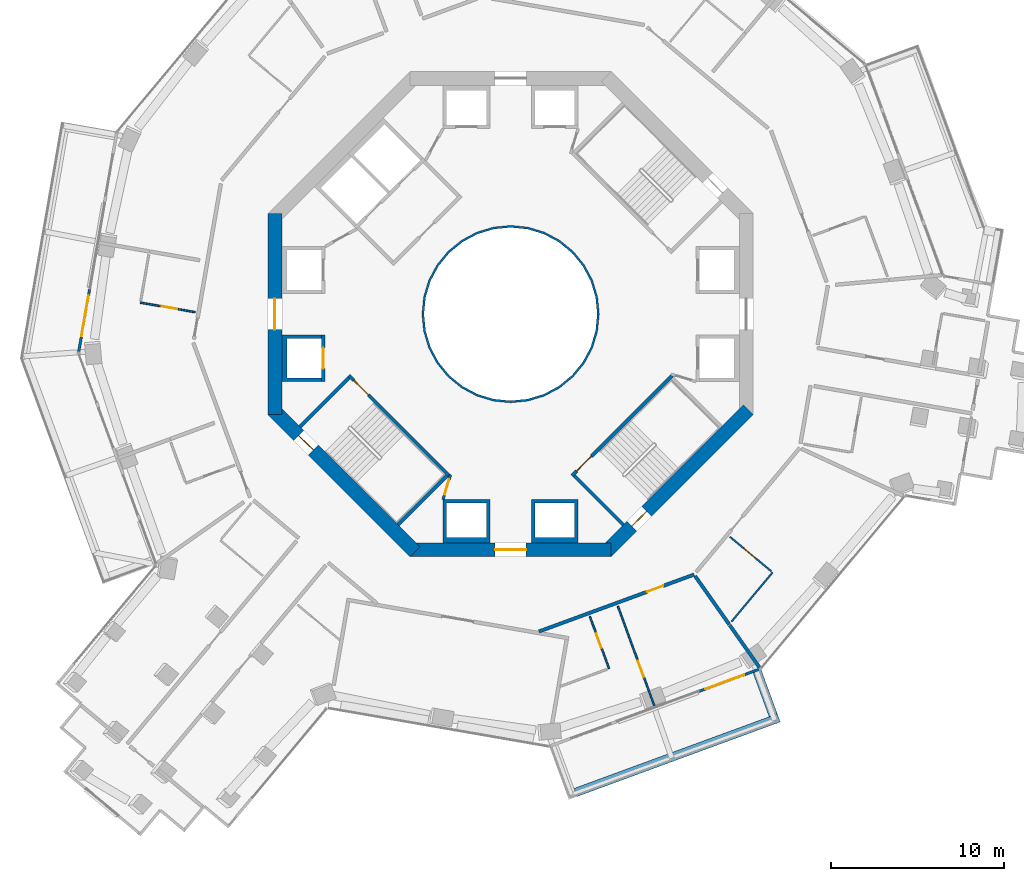
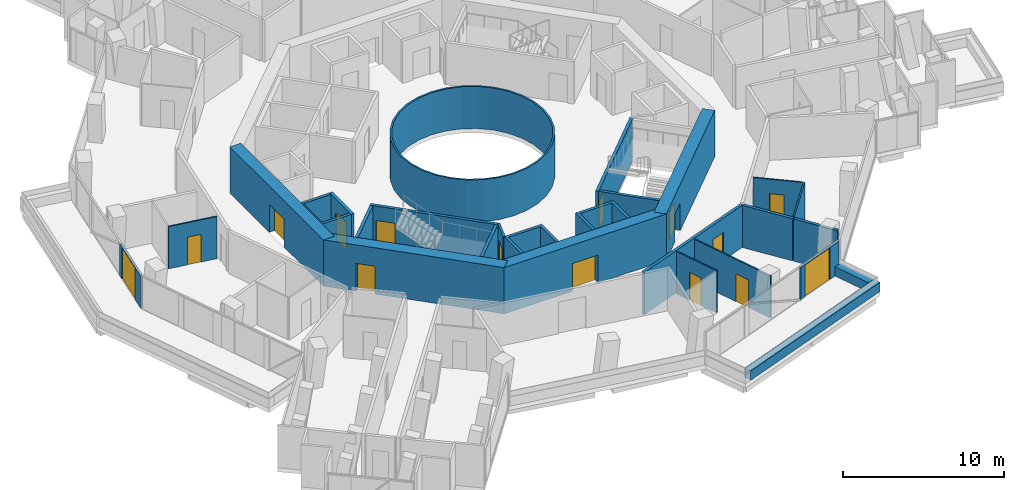
# One storey, part 17 of 24: 27 walls, 15 doors, 15 openings.
"""IFC4 building model written with IfcOpenShell, lengths in metres."""

from ifc_helpers import new_model, si_unit, direction, frame, frame_2d, origin, place, context, subcontext, project, spatial, polyline, rectangle, outline, extrude, material, layer, layer_set, type_object, element, fill, save


model = new_model("IFC4")

# Units and contexts
model_context = context("Model", 3, precision=1e-05, world=origin(), true_north=direction((0.0, 1.0)))
body_context = subcontext(model_context, "Body", "Model", "MODEL_VIEW")
ifc_project = project(units=[si_unit("LENGTHUNIT", "METRE"), si_unit("AREAUNIT", "SQUARE_METRE"), si_unit("VOLUMEUNIT", "CUBIC_METRE"), si_unit("PLANEANGLEUNIT", "RADIAN"), si_unit("MASSUNIT", "GRAM", prefix="KILO")], contexts=[model_context])

# Site, building, storey
site_placement = place(None, origin())
site = spatial("IfcSite", under=ifc_project, at=site_placement, CompositionType="ELEMENT")
building_placement = place(site_placement, origin())
building = spatial("IfcBuilding", under=site, at=building_placement, Name="Verdalira Terraces Hotel", CompositionType="ELEMENT")
storey_placement = place(building_placement, frame((0.0, 0.0, 115.0)))
storey = spatial("IfcBuildingStorey", under=building, at=storey_placement, Name="L27", CompositionType="ELEMENT", Elevation=115.0)

# Walls
ifc_material_1 = material(Name="Fire-resisting glass EI 180", Category="glass")
ifc_layer_1 = layer(ifc_material_1, 0.1201171875)
ifc_layer_set_1 = layer_set([ifc_layer_1], Name="Atrium fire screen 120 mm")
wall_type_1 = type_object("IfcWallType", Name="Atrium fire screen 120 mm", PredefinedType="SOLIDWALL", material=ifc_layer_set_1)
wall_1_placement = place(storey_placement, origin())
element("IfcWall", 1, at=wall_1_placement, inside=storey, type_object=wall_type_1, Name="Atrium fire screen", PredefinedType="SOLIDWALL", context=body_context, shape_type="SweptSolid", body=[
    extrude(outline(polyline([(5.021484, -0.998779), (4.730225, -1.959229), (4.25708, -2.844482), (3.620361, -3.620361), (2.844482, -4.25708), (1.959229, -4.730225), (0.998779, -5.021484), (0.0, -5.120117), (-0.998779, -5.021484), (-1.959229, -4.730225), (-2.844482, -4.25708), (-3.620361, -3.620361), (-4.25708, -2.844482), (-4.730225, -1.959229), (-5.021484, -0.998779), (-5.120117, 0.0), (-5.021484, 0.998779), (-4.730225, 1.959229), (-4.25708, 2.844482), (-3.620361, 3.620361), (-2.844482, 4.25708), (-1.959229, 4.730225), (-0.998779, 5.021484), (0.0, 5.120117), (0.998779, 5.021484), (1.959229, 4.730225), (2.844482, 4.25708), (3.620361, 3.620361), (4.25708, 2.844482), (4.730225, 1.959229), (5.021484, 0.998779), (5.120117, 0.0), (5.021484, -0.998779)]), holes=[polyline([(4.903809, 0.975586), (4.619385, 1.91333), (4.157227, 2.777832), (3.5354, 3.5354), (2.777832, 4.157227), (1.91333, 4.619385), (0.975586, 4.903809), (0.0, 5.0), (-0.975586, 4.903809), (-1.91333, 4.619385), (-2.777832, 4.157227), (-3.5354, 3.5354), (-4.157227, 2.777832), (-4.619385, 1.91333), (-4.903809, 0.975586), (-5.0, 0.0), (-4.903809, -0.975586), (-4.619385, -1.91333), (-4.157227, -2.777832), (-3.5354, -3.5354), (-2.777832, -4.157227), (-1.91333, -4.619385), (-0.975586, -4.903809), (0.0, -5.0), (0.975586, -4.903809), (1.91333, -4.619385), (2.777832, -4.157227), (3.5354, -3.5354), (4.157227, -2.777832), (4.619385, -1.91333), (4.903809, -0.975586), (5.0, 0.0), (4.903809, 0.975586)])]), origin(), (0.0, 0.0, 1.0), 3.189941),
])
ifc_material_2 = material(Name="Concrete C40", Category="concrete")
ifc_layer_2 = layer(ifc_material_2, 0.5)
ifc_layer_set_2 = layer_set([ifc_layer_2], Name="Balcony planter trough with tree")
wall_type_2 = type_object("IfcWallType", Name="Balcony planter trough with tree", PredefinedType="SOLIDWALL", material=ifc_layer_set_2)
wall_2_placement = place(storey_placement, frame((3.744873, -27.609131, 0.0), z_axis=(0.0, 0.0, 1.0), x_axis=(0.93873799, 0.344631667, 0.0)))
element("IfcWall", 2, at=wall_2_placement, inside=storey, type_object=wall_type_2, Name="Balcony planter", PredefinedType="SOLIDWALL", context=body_context, shape_type="SweptSolid", body=[
    extrude(rectangle(XDim=12.5, YDim=0.5, at=frame_2d((6.25, 0.0))), origin(), (0.0, 0.0, 1.0), 0.699951),
])
wall_3_placement = place(storey_placement, frame((15.158203, -23.152588, 0.0), z_axis=(0.0, 0.0, 1.0), x_axis=(-0.344741011, 0.93869784, 0.0)))
element("IfcWall", 3, at=wall_3_placement, inside=storey, type_object=wall_type_2, Name="Balcony planter", PredefinedType="SOLIDWALL", context=body_context, shape_type="SweptSolid", body=[
    extrude(rectangle(XDim=2.698975, YDim=0.5, at=frame_2d((1.349609, 0.0))), origin(), (0.0, 0.0, 1.0), 0.699951),
])

# Wall, opening, door
ifc_material_3 = material(Name="Moisture-resistant gypsum board partition")
ifc_layer_3 = layer(ifc_material_3, 0.10009765625)
ifc_layer_set_3 = layer_set([ifc_layer_3], Name="Bathroom partition 100 mm")
wall_type_3 = type_object("IfcWallType", Name="Bathroom partition 100 mm", PredefinedType="PARTITIONING", material=ifc_layer_set_3)
wall_4_placement = place(storey_placement, frame((-21.359863, 0.659912, 0.0), z_axis=(0.0, 0.0, 1.0), x_axis=(0.985302885, -0.17081635, 0.0)))
wall_4 = element("IfcWall", 4, at=wall_4_placement, inside=storey, type_object=wall_type_3, Name="Bathroom partition", PredefinedType="PARTITIONING", context=body_context, shape_type="SweptSolid", body=[
    extrude(rectangle(XDim=3.200195, YDim=0.100098, at=frame_2d((1.600098, 0.0))), origin(), (0.0, 0.0, 1.0), 3.189941),
])
opening_1_placement = place(wall_4_placement, frame((1.25, 0.0, 0.0)))
opening_1 = element("IfcOpeningElement", 5, at=opening_1_placement, cuts=wall_4, Name="Opening L27-109", PredefinedType="OPENING", context=body_context, shape_type="SweptSolid", body=[
    extrude(rectangle(XDim=0.899902, YDim=2.100098, at=frame_2d((0.449951, 1.050049))), frame((0.0, 0.060059, 0.0), z_axis=(0.0, -1.0, 0.0), x_axis=(1.0, 0.0, 0.0)), (0.0, 0.0, 1.0), 0.120117),
])
ifc_material_4 = material(Name="Timber door", Category="wood")
door_type_1 = type_object("IfcDoorType", Name="Bathroom door 900 x 2100", OperationType="NOTDEFINED", PredefinedType="DOOR", material=ifc_material_4)
door_1_placement = place(opening_1_placement, origin())
door_1 = element("IfcDoor", 6, at=door_1_placement, inside=storey, type_object=door_type_1, Name="Bathroom door 2704", OperationType="SINGLE_SWING_LEFT", OverallHeight=2.10009765625, OverallWidth=0.89990234375, PredefinedType="DOOR", context=body_context, shape_type="SweptSolid", body=[
    extrude(rectangle(XDim=0.899902, YDim=2.100098, at=frame_2d((0.449951, 1.050049))), frame((0.0, 0.024902, 0.0), z_axis=(0.0, -1.0, 0.0), x_axis=(1.0, 0.0, 0.0)), (0.0, 0.0, 1.0), 0.050049),
])
fill(opening_1, door_1)

wall_5_placement = place(storey_placement, frame((5.678955, -20.454346, 0.0), z_axis=(0.0, 0.0, 1.0), x_axis=(-0.344602078, 0.938748852, 0.0)))
wall_5 = element("IfcWall", 7, at=wall_5_placement, inside=storey, type_object=wall_type_3, Name="Bathroom partition", PredefinedType="PARTITIONING", context=body_context, shape_type="SweptSolid", body=[
    extrude(rectangle(XDim=3.200195, YDim=0.100098, at=frame_2d((1.600098, 0.0))), origin(), (0.0, 0.0, 1.0), 3.189941),
])
opening_2_placement = place(wall_5_placement, frame((1.25, 0.0, 0.0)))
opening_2 = element("IfcOpeningElement", 8, at=opening_2_placement, cuts=wall_5, Name="Opening L27-119", PredefinedType="OPENING", context=body_context, shape_type="SweptSolid", body=[
    extrude(rectangle(XDim=0.899902, YDim=2.100098, at=frame_2d((0.449951, 1.050049))), frame((0.0, 0.060059, 0.0), z_axis=(0.0, -1.0, 0.0), x_axis=(1.0, 0.0, 0.0)), (0.0, 0.0, 1.0), 0.120117),
])
door_2_placement = place(opening_2_placement, origin())
door_2 = element("IfcDoor", 9, at=door_2_placement, inside=storey, type_object=door_type_1, Name="Bathroom door 2709", OperationType="SINGLE_SWING_LEFT", OverallHeight=2.10009765625, OverallWidth=0.89990234375, PredefinedType="DOOR", context=body_context, shape_type="SweptSolid", body=[
    extrude(rectangle(XDim=0.899902, YDim=2.100098, at=frame_2d((0.449951, 1.050049))), frame((0.0, 0.024902, 0.0), z_axis=(0.0, -1.0, 0.0), x_axis=(1.0, 0.0, 0.0)), (0.0, 0.0, 1.0), 0.050049),
])
fill(opening_2, door_2)

wall_6_placement = place(storey_placement, frame((8.308838, -22.631348, 0.0), z_axis=(0.0, 0.0, 1.0), x_axis=(-0.344654705, 0.938729532, 0.0)))
wall_6 = element("IfcWall", 10, at=wall_6_placement, inside=storey, type_object=wall_type_3, Name="Bathroom partition", PredefinedType="PARTITIONING", context=body_context, shape_type="SweptSolid", body=[
    extrude(rectangle(XDim=6.149902, YDim=0.100098, at=frame_2d((3.074951, 0.0))), origin(), (0.0, 0.0, 1.0), 3.189941),
])
opening_3_placement = place(wall_6_placement, frame((1.800049, 0.0, 0.0)))
opening_3 = element("IfcOpeningElement", 11, at=opening_3_placement, cuts=wall_6, Name="Opening L27-118", PredefinedType="OPENING", context=body_context, shape_type="SweptSolid", body=[
    extrude(rectangle(XDim=1.0, YDim=2.100098, at=frame_2d((0.5, 1.050049))), frame((0.0, 0.060059, 0.0), z_axis=(0.0, -1.0, 0.0), x_axis=(1.0, 0.0, 0.0)), (0.0, 0.0, 1.0), 0.120117),
])
ifc_material_5 = material(Name="Timber door", Category="wood")
door_type_2 = type_object("IfcDoorType", Name="Suite internal door 1000 x 2100", OperationType="NOTDEFINED", PredefinedType="DOOR", material=ifc_material_5)
door_3_placement = place(opening_3_placement, origin())
door_3 = element("IfcDoor", 12, at=door_3_placement, inside=storey, type_object=door_type_2, Name="Suite internal door 2709", OperationType="SINGLE_SWING_LEFT", OverallHeight=2.10009765625, OverallWidth=1.0, PredefinedType="DOOR", context=body_context, shape_type="SweptSolid", body=[
    extrude(rectangle(XDim=1.0, YDim=2.100098, at=frame_2d((0.5, 1.050049))), frame((0.0, 0.024902, 0.0), z_axis=(0.0, -1.0, 0.0), x_axis=(1.0, 0.0, 0.0)), (0.0, 0.0, 1.0), 0.050049),
])
fill(opening_3, door_3)

wall_7_placement = place(storey_placement, frame((15.042969, -14.841064, 0.0), z_axis=(0.0, 0.0, 1.0), x_axis=(-0.767833833, 0.64064905, 0.0)))
wall_7 = element("IfcWall", 13, at=wall_7_placement, inside=storey, type_object=wall_type_3, Name="Bathroom partition", PredefinedType="PARTITIONING", context=body_context, shape_type="SweptSolid", body=[
    extrude(rectangle(XDim=3.100098, YDim=0.100098, at=frame_2d((1.550049, 0.0))), origin(), (0.0, 0.0, 1.0), 3.189941),
])
opening_4_placement = place(wall_7_placement, frame((1.149902, 0.0, 0.0)))
opening_4 = element("IfcOpeningElement", 14, at=opening_4_placement, cuts=wall_7, Name="Opening L27-121", PredefinedType="OPENING", context=body_context, shape_type="SweptSolid", body=[
    extrude(rectangle(XDim=0.899902, YDim=2.100098, at=frame_2d((0.449951, 1.050049))), frame((0.0, 0.060059, 0.0), z_axis=(0.0, -1.0, 0.0), x_axis=(1.0, 0.0, 0.0)), (0.0, 0.0, 1.0), 0.120117),
])
door_4_placement = place(opening_4_placement, origin())
door_4 = element("IfcDoor", 15, at=door_4_placement, inside=storey, type_object=door_type_1, Name="Bathroom door 2710", OperationType="SINGLE_SWING_LEFT", OverallHeight=2.10009765625, OverallWidth=0.89990234375, PredefinedType="DOOR", context=body_context, shape_type="SweptSolid", body=[
    extrude(rectangle(XDim=0.899902, YDim=2.100098, at=frame_2d((0.449951, 1.050049))), frame((0.0, 0.024902, 0.0), z_axis=(0.0, -1.0, 0.0), x_axis=(1.0, 0.0, 0.0)), (0.0, 0.0, 1.0), 0.050049),
])
fill(opening_4, door_4)

# Walls
wall_8_placement = place(storey_placement, frame((15.119629, -14.905029, 0.0), z_axis=(0.0, 0.0, 1.0), x_axis=(-0.640638089, -0.767842978, 0.0)))
element("IfcWall", 16, at=wall_8_placement, inside=storey, type_object=wall_type_3, Name="Bathroom partition", PredefinedType="PARTITIONING", context=body_context, shape_type="SweptSolid", body=[
    extrude(rectangle(XDim=3.704102, YDim=0.100098, at=frame_2d((1.852051, 0.0))), origin(), (0.0, 0.0, 1.0), 3.189941),
])
ifc_material_6 = material(Name="Concrete C50", Category="concrete")
ifc_layer_4 = layer(ifc_material_6, 0.199951171875)
ifc_layer_set_4 = layer_set([ifc_layer_4], Name="Core RC wall 200 C50")
wall_type_4 = type_object("IfcWallType", Name="Core RC wall 200 C50", PredefinedType="SOLIDWALL", material=ifc_layer_set_4)
wall_9_placement = place(storey_placement, origin())
element("IfcWall", 17, at=wall_9_placement, inside=storey, type_object=wall_type_4, Name="L27 shaft wall W2", PredefinedType="SOLIDWALL", context=body_context, shape_type="SweptSolid", body=[
    extrude(outline(polyline([(-13.199951, -3.899902), (-13.199951, -1.199951), (-10.899902, -1.199951), (-10.899902, -1.399902), (-12.899902, -1.399902), (-12.899902, -3.699951), (-10.899902, -3.699951), (-10.899902, -3.899902), (-13.199951, -3.899902)])), origin(), (0.0, 0.0, 1.0), 3.189941),
])

# Wall, opening, door
wall_10_placement = place(storey_placement, frame((-10.800049, -1.199951, 0.0), z_axis=(0.0, 0.0, 1.0), x_axis=(0.0, -1.0, 0.0)))
wall_10 = element("IfcWall", 18, at=wall_10_placement, inside=storey, type_object=wall_type_4, Name="L27 shaft front wall W2", PredefinedType="SOLIDWALL", context=body_context, shape_type="SweptSolid", body=[
    extrude(rectangle(XDim=2.699951, YDim=0.199951, at=frame_2d((1.350098, 0.0))), origin(), (0.0, 0.0, 1.0), 3.189941),
])
opening_5_placement = place(wall_10_placement, frame((0.75, 0.0, 0.0)))
opening_5 = element("IfcOpeningElement", 19, at=opening_5_placement, cuts=wall_10, Name="Opening LD-L27-806", PredefinedType="OPENING", context=body_context, shape_type="SweptSolid", body=[
    extrude(rectangle(XDim=1.199951, YDim=2.100098, at=frame_2d((0.600098, 1.050049))), frame((0.0, 0.109863, 0.0), z_axis=(0.0, -1.0, 0.0), x_axis=(1.0, 0.0, 0.0)), (0.0, 0.0, 1.0), 0.219971),
])
ifc_material_7 = material(Name="Stainless steel", Category="steel")
door_type_3 = type_object("IfcDoorType", Name="Landing door 1200 x 2100", OperationType="NOTDEFINED", PredefinedType="DOOR", material=ifc_material_7)
door_5_placement = place(opening_5_placement, origin())
door_5 = element("IfcDoor", 20, at=door_5_placement, inside=storey, type_object=door_type_3, Name="Lift landing door LR6 L27", OperationType="DOUBLE_DOOR_SLIDING", OverallHeight=2.10009765625, OverallWidth=1.199951171875, PredefinedType="DOOR", context=body_context, shape_type="SweptSolid", body=[
    extrude(rectangle(XDim=1.199951, YDim=2.100098, at=frame_2d((0.600098, 1.050049))), frame((0.0, 0.024902, 0.0), z_axis=(0.0, -1.0, 0.0), x_axis=(1.0, 0.0, 0.0)), (0.0, 0.0, 1.0), 0.050049),
])
fill(opening_5, door_5)

# Walls
wall_11_placement = place(storey_placement, origin())
element("IfcWall", 21, at=wall_11_placement, inside=storey, type_object=wall_type_4, Name="L27 shaft wall S1", PredefinedType="SOLIDWALL", context=body_context, shape_type="SweptSolid", body=[
    extrude(outline(polyline([(-1.199951, -13.199951), (-3.899902, -13.199951), (-3.899902, -10.699951), (-1.199951, -10.699951), (-1.199951, -13.199951)]), holes=[polyline([(-3.699951, -10.899902), (-3.699951, -12.899902), (-1.399902, -12.899902), (-1.399902, -10.899902), (-3.699951, -10.899902)])]), origin(), (0.0, 0.0, 1.0), 3.189941),
])
wall_12_placement = place(storey_placement, origin())
element("IfcWall", 22, at=wall_12_placement, inside=storey, type_object=wall_type_4, Name="L27 shaft wall S2", PredefinedType="SOLIDWALL", context=body_context, shape_type="SweptSolid", body=[
    extrude(outline(polyline([(3.899902, -10.699951), (3.899902, -13.199951), (1.199951, -13.199951), (1.199951, -10.699951), (3.899902, -10.699951)]), holes=[polyline([(1.399902, -12.899902), (3.699951, -12.899902), (3.699951, -10.899902), (1.399902, -10.899902), (1.399902, -12.899902)])]), origin(), (0.0, 0.0, 1.0), 3.189941),
])

# Wall, opening, door
wall_13_placement = place(storey_placement, frame((-3.5354, -9.33374, 0.0), z_axis=(0.0, 0.0, 1.0), x_axis=(-0.707106781, 0.707106781, 0.0)))
wall_13 = element("IfcWall", 23, at=wall_13_placement, inside=storey, type_object=wall_type_4, Name="L27 stair ST2 front wall", PredefinedType="SOLIDWALL", context=body_context, shape_type="SweptSolid", body=[
    extrude(rectangle(XDim=8.200195, YDim=0.199951, at=frame_2d((4.100098, 0.0))), origin(), (0.0, 0.0, 1.0), 3.189941),
])
opening_6_placement = place(wall_13_placement, frame((6.600098, 0.0, 0.0)))
opening_6 = element("IfcOpeningElement", 24, at=opening_6_placement, cuts=wall_13, Name="Opening L27-810", PredefinedType="OPENING", context=body_context, shape_type="SweptSolid", body=[
    extrude(rectangle(XDim=1.199951, YDim=2.100098, at=frame_2d((0.600098, 1.050049))), frame((0.0, 0.109863, 0.0), z_axis=(0.0, -1.0, 0.0), x_axis=(1.0, 0.0, 0.0)), (0.0, 0.0, 1.0), 0.219971),
])
ifc_material_8 = material(Name="Steel fire door", Category="steel")
door_type_4 = type_object("IfcDoorType", Name="Stair door 1200 x 2100", OperationType="NOTDEFINED", PredefinedType="DOOR", material=ifc_material_8)
door_6_placement = place(opening_6_placement, origin())
door_6 = element("IfcDoor", 25, at=door_6_placement, inside=storey, type_object=door_type_4, Name="Stair door ST2 L27", OperationType="SINGLE_SWING_RIGHT", OverallHeight=2.10009765625, OverallWidth=1.199951171875, PredefinedType="DOOR", context=body_context, shape_type="SweptSolid", body=[
    extrude(rectangle(XDim=1.199951, YDim=2.100098, at=frame_2d((0.600098, 1.050049))), frame((0.0, 0.024902, 0.0), z_axis=(0.0, -1.0, 0.0), x_axis=(1.0, 0.0, 0.0)), (0.0, 0.0, 1.0), 0.050049),
])
fill(opening_6, door_6)

# Walls
for number, where, z_axis, x_axis, name in (
    (26, (-9.33374, -3.677002, 0.0), (0.0, 0.0, 1.0), (-0.707106781, -0.707106781, 0.0), "L27 stair ST2 end wall 1"),
    (27, (-3.677002, -9.33374, 0.0), (0.0, 0.0, 1.0), (-0.707106781, -0.707106781, 0.0), "L27 stair ST2 end wall 2"),
):
    element("IfcWall", number, at=place(storey_placement, frame(where, z_axis=z_axis, x_axis=x_axis)), inside=storey, type_object=wall_type_4, Name=name, PredefinedType="SOLIDWALL", context=body_context, shape_type="SweptSolid", body=[
        extrude(rectangle(XDim=4.0, YDim=0.199951, at=frame_2d((2.0, 0.0))), origin(), (0.0, 0.0, 1.0), 3.189941),
    ])

# Wall, opening, door
wall_14_placement = place(storey_placement, frame((9.33374, -3.5354, 0.0), z_axis=(0.0, 0.0, 1.0), x_axis=(-0.707106781, -0.707106781, 0.0)))
wall_14 = element("IfcWall", 28, at=wall_14_placement, inside=storey, type_object=wall_type_4, Name="L27 stair ST3 front wall", PredefinedType="SOLIDWALL", context=body_context, shape_type="SweptSolid", body=[
    extrude(rectangle(XDim=8.200195, YDim=0.199951, at=frame_2d((4.100098, 0.0))), origin(), (0.0, 0.0, 1.0), 3.189941),
])
opening_7_placement = place(wall_14_placement, frame((6.600098, 0.0, 0.0)))
opening_7 = element("IfcOpeningElement", 29, at=opening_7_placement, cuts=wall_14, Name="Opening L27-811", PredefinedType="OPENING", context=body_context, shape_type="SweptSolid", body=[
    extrude(rectangle(XDim=1.199951, YDim=2.100098, at=frame_2d((0.600098, 1.050049))), frame((0.0, 0.109863, 0.0), z_axis=(0.0, -1.0, 0.0), x_axis=(1.0, 0.0, 0.0)), (0.0, 0.0, 1.0), 0.219971),
])
door_7_placement = place(opening_7_placement, origin())
door_7 = element("IfcDoor", 30, at=door_7_placement, inside=storey, type_object=door_type_4, Name="Stair door ST3 L27", OperationType="SINGLE_SWING_RIGHT", OverallHeight=2.10009765625, OverallWidth=1.199951171875, PredefinedType="DOOR", context=body_context, shape_type="SweptSolid", body=[
    extrude(rectangle(XDim=1.199951, YDim=2.100098, at=frame_2d((0.600098, 1.050049))), frame((0.0, 0.024902, 0.0), z_axis=(0.0, -1.0, 0.0), x_axis=(1.0, 0.0, 0.0)), (0.0, 0.0, 1.0), 0.050049),
])
fill(opening_7, door_7)

# Wall
wall_15_placement = place(storey_placement, frame((3.677002, -9.33374, 0.0), z_axis=(0.0, 0.0, 1.0), x_axis=(0.707106781, -0.707106781, 0.0)))
element("IfcWall", 31, at=wall_15_placement, inside=storey, type_object=wall_type_4, Name="L27 stair ST3 end wall 1", PredefinedType="SOLIDWALL", context=body_context, shape_type="SweptSolid", body=[
    extrude(rectangle(XDim=4.0, YDim=0.199951, at=frame_2d((2.0, 0.0))), origin(), (0.0, 0.0, 1.0), 3.189941),
])

# Wall, opening, door
ifc_material_9 = material(Name="Gypsum board partition")
ifc_layer_5 = layer(ifc_material_9, 0.14990234375)
ifc_layer_set_5 = layer_set([ifc_layer_5], Name="Core partition 150 mm")
wall_type_5 = type_object("IfcWallType", Name="Core partition 150 mm", PredefinedType="PARTITIONING", material=ifc_layer_set_5)
wall_16_placement = place(storey_placement, frame((-3.464844, -9.263184, 0.0), z_axis=(0.0, 0.0, 1.0), x_axis=(-0.289808785, -0.957084567, 0.0)))
wall_16 = element("IfcWall", 32, at=wall_16_placement, inside=storey, type_object=wall_type_5, Name="Room partition L27", PredefinedType="PARTITIONING", context=body_context, shape_type="SweptSolid", body=[
    extrude(rectangle(XDim=1.501221, YDim=0.149902, at=frame_2d((0.750488, 0.0))), origin(), (0.0, 0.0, 1.0), 3.189941),
])
opening_8_placement = place(wall_16_placement, frame((0.300781, 0.0, 0.0)))
opening_8 = element("IfcOpeningElement", 33, at=opening_8_placement, cuts=wall_16, Name="Opening L27-823", PredefinedType="OPENING", context=body_context, shape_type="SweptSolid", body=[
    extrude(rectangle(XDim=0.899902, YDim=2.100098, at=frame_2d((0.449951, 1.050049))), frame((0.0, 0.084961, 0.0), z_axis=(0.0, -1.0, 0.0), x_axis=(1.0, 0.0, 0.0)), (0.0, 0.0, 1.0), 0.169922),
])
ifc_material_10 = material(Name="Steel fire door", Category="steel")
door_type_5 = type_object("IfcDoorType", Name="Core room door 900 x 2100", OperationType="NOTDEFINED", PredefinedType="DOOR", material=ifc_material_10)
door_8_placement = place(opening_8_placement, origin())
door_8 = element("IfcDoor", 34, at=door_8_placement, inside=storey, type_object=door_type_5, Name="Door L27 room5", OperationType="SINGLE_SWING_LEFT", OverallHeight=2.10009765625, OverallWidth=0.89990234375, PredefinedType="DOOR", context=body_context, shape_type="SweptSolid", body=[
    extrude(rectangle(XDim=0.899902, YDim=2.100098, at=frame_2d((0.449951, 1.050049))), frame((0.0, 0.024902, 0.0), z_axis=(0.0, -1.0, 0.0), x_axis=(1.0, 0.0, 0.0)), (0.0, 0.0, 1.0), 0.050049),
])
fill(opening_8, door_8)

ifc_material_11 = material(Name="Concrete C70", Category="concrete")
ifc_layer_6 = layer(ifc_material_11, 0.800048828125)
ifc_layer_set_6 = layer_set([ifc_layer_6], Name="Core wall 800 C70")
wall_type_6 = type_object("IfcWallType", Name="Core wall 800 C70", PredefinedType="SHEAR", material=ifc_layer_set_6)
wall_17_placement = place(storey_placement, frame((-13.600098, 5.799072, 0.0), z_axis=(0.0, 0.0, 1.0), x_axis=(0.0, -1.0, 0.0)))
wall_17 = element("IfcWall", 35, at=wall_17_placement, inside=storey, type_object=wall_type_6, Name="Core wall CW-L27-5", PredefinedType="SHEAR", context=body_context, shape_type="SweptSolid", body=[
    extrude(rectangle(XDim=11.598145, YDim=0.800049, at=frame_2d((5.799072, 0.0))), origin(), (0.0, 0.0, 1.0), 3.5),
])
opening_9_placement = place(wall_17_placement, frame((4.898926, 0.0, 0.0)))
opening_9 = element("IfcOpeningElement", 36, at=opening_9_placement, cuts=wall_17, Name="Opening L27-814", PredefinedType="OPENING", context=body_context, shape_type="SweptSolid", body=[
    extrude(rectangle(XDim=1.800049, YDim=2.100098, at=frame_2d((0.899902, 1.050049))), frame((0.0, 0.409912, 0.0), z_axis=(0.0, -1.0, 0.0), x_axis=(1.0, 0.0, 0.0)), (0.0, 0.0, 1.0), 0.820068),
])
ifc_material_12 = material(Name="Steel fire door", Category="steel")
door_type_6 = type_object("IfcDoorType", Name="Core entry door pair 1800 x 2100", OperationType="NOTDEFINED", PredefinedType="DOOR", material=ifc_material_12)
door_9_placement = place(opening_9_placement, origin())
door_9 = element("IfcDoor", 37, at=door_9_placement, inside=storey, type_object=door_type_6, Name="Core entry door L27 4", OperationType="DOUBLE_DOOR_SINGLE_SWING", OverallHeight=2.10009765625, OverallWidth=1.800048828125, PredefinedType="DOOR", context=body_context, shape_type="SweptSolid", body=[
    extrude(rectangle(XDim=1.800049, YDim=2.100098, at=frame_2d((0.899902, 1.050049))), frame((0.0, 0.024902, 0.0), z_axis=(0.0, -1.0, 0.0), x_axis=(1.0, 0.0, 0.0)), (0.0, 0.0, 1.0), 0.050049),
])
fill(opening_9, door_9)

wall_18_placement = place(storey_placement, frame((-13.717285, -5.516113, 0.0), z_axis=(0.0, 0.0, 1.0), x_axis=(0.707106781, -0.707106781, 0.0)))
wall_18 = element("IfcWall", 38, at=wall_18_placement, inside=storey, type_object=wall_type_6, Name="Core wall CW-L27-6", PredefinedType="SHEAR", context=body_context, shape_type="SweptSolid", body=[
    extrude(rectangle(XDim=11.598145, YDim=0.800049, at=frame_2d((5.799072, 0.0))), origin(), (0.0, 0.0, 1.0), 3.5),
])
opening_10_placement = place(wall_18_placement, frame((2.099121, 0.0, 0.0)))
opening_10 = element("IfcOpeningElement", 39, at=opening_10_placement, cuts=wall_18, Name="Opening L27-817", PredefinedType="OPENING", context=body_context, shape_type="SweptSolid", body=[
    extrude(rectangle(XDim=1.199951, YDim=2.100098, at=frame_2d((0.600098, 1.050049))), frame((0.0, 0.409912, 0.0), z_axis=(0.0, -1.0, 0.0), x_axis=(1.0, 0.0, 0.0)), (0.0, 0.0, 1.0), 0.820068),
])
door_10_placement = place(opening_10_placement, origin())
door_10 = element("IfcDoor", 40, at=door_10_placement, inside=storey, type_object=door_type_4, Name="Stair exit door ST2 L27", OperationType="SINGLE_SWING_LEFT", OverallHeight=2.10009765625, OverallWidth=1.199951171875, PredefinedType="DOOR", context=body_context, shape_type="SweptSolid", body=[
    extrude(rectangle(XDim=1.199951, YDim=2.100098, at=frame_2d((0.600098, 1.050049))), frame((0.0, 0.024902, 0.0), z_axis=(0.0, -1.0, 0.0), x_axis=(1.0, 0.0, 0.0)), (0.0, 0.0, 1.0), 0.050049),
])
fill(opening_10, door_10)

wall_19_placement = place(storey_placement, frame((-5.799072, -13.600098, 0.0), z_axis=(0.0, 0.0, 1.0), x_axis=(1.0, 0.0, 0.0)))
wall_19 = element("IfcWall", 41, at=wall_19_placement, inside=storey, type_object=wall_type_6, Name="Core wall CW-L27-7", PredefinedType="SHEAR", context=body_context, shape_type="SweptSolid", body=[
    extrude(rectangle(XDim=11.598145, YDim=0.800049, at=frame_2d((5.799072, 0.0))), origin(), (0.0, 0.0, 1.0), 3.5),
])
opening_11_placement = place(wall_19_placement, frame((4.898926, 0.0, 0.0)))
opening_11 = element("IfcOpeningElement", 42, at=opening_11_placement, cuts=wall_19, Name="Opening L27-815", PredefinedType="OPENING", context=body_context, shape_type="SweptSolid", body=[
    extrude(rectangle(XDim=1.800049, YDim=2.100098, at=frame_2d((0.899902, 1.050049))), frame((0.0, 0.409912, 0.0), z_axis=(0.0, -1.0, 0.0), x_axis=(1.0, 0.0, 0.0)), (0.0, 0.0, 1.0), 0.820068),
])
door_11_placement = place(opening_11_placement, origin())
door_11 = element("IfcDoor", 43, at=door_11_placement, inside=storey, type_object=door_type_6, Name="Core entry door L27 6", OperationType="DOUBLE_DOOR_SINGLE_SWING", OverallHeight=2.10009765625, OverallWidth=1.800048828125, PredefinedType="DOOR", context=body_context, shape_type="SweptSolid", body=[
    extrude(rectangle(XDim=1.800049, YDim=2.100098, at=frame_2d((0.899902, 1.050049))), frame((0.0, 0.024902, 0.0), z_axis=(0.0, -1.0, 0.0), x_axis=(1.0, 0.0, 0.0)), (0.0, 0.0, 1.0), 0.050049),
])
fill(opening_11, door_11)

wall_20_placement = place(storey_placement, frame((5.516113, -13.717285, 0.0), z_axis=(0.0, 0.0, 1.0), x_axis=(0.707106781, 0.707106781, 0.0)))
wall_20 = element("IfcWall", 44, at=wall_20_placement, inside=storey, type_object=wall_type_6, Name="Core wall CW-L27-8", PredefinedType="SHEAR", context=body_context, shape_type="SweptSolid", body=[
    extrude(rectangle(XDim=11.598145, YDim=0.800049, at=frame_2d((5.799072, 0.0))), origin(), (0.0, 0.0, 1.0), 3.5),
])
opening_12_placement = place(wall_20_placement, frame((2.099121, 0.0, 0.0)))
opening_12 = element("IfcOpeningElement", 45, at=opening_12_placement, cuts=wall_20, Name="Opening L27-818", PredefinedType="OPENING", context=body_context, shape_type="SweptSolid", body=[
    extrude(rectangle(XDim=1.199951, YDim=2.100098, at=frame_2d((0.600098, 1.050049))), frame((0.0, 0.409912, 0.0), z_axis=(0.0, -1.0, 0.0), x_axis=(1.0, 0.0, 0.0)), (0.0, 0.0, 1.0), 0.820068),
])
door_12_placement = place(opening_12_placement, origin())
door_12 = element("IfcDoor", 46, at=door_12_placement, inside=storey, type_object=door_type_4, Name="Stair exit door ST3 L27", OperationType="SINGLE_SWING_LEFT", OverallHeight=2.10009765625, OverallWidth=1.199951171875, PredefinedType="DOOR", context=body_context, shape_type="SweptSolid", body=[
    extrude(rectangle(XDim=1.199951, YDim=2.100098, at=frame_2d((0.600098, 1.050049))), frame((0.0, 0.024902, 0.0), z_axis=(0.0, -1.0, 0.0), x_axis=(1.0, 0.0, 0.0)), (0.0, 0.0, 1.0), 0.050049),
])
fill(opening_12, door_12)

# Walls
ifc_material_13 = material(Name="Fire-rated gypsum board wall")
ifc_layer_7 = layer(ifc_material_13, 0.199951171875)
ifc_layer_set_7 = layer_set([ifc_layer_7], Name="Demising wall 200 mm")
wall_type_7 = type_object("IfcWallType", Name="Demising wall 200 mm", PredefinedType="SOLIDWALL", material=ifc_layer_set_7)
wall_21_placement = place(storey_placement, frame((10.646729, -15.11499, 0.0), z_axis=(0.0, 0.0, 1.0), x_axis=(0.575827703, -0.817571071, 0.0)))
element("IfcWall", 47, at=wall_21_placement, inside=storey, type_object=wall_type_7, Name="Demising wall", PredefinedType="SOLIDWALL", context=body_context, shape_type="SweptSolid", body=[
    extrude(rectangle(XDim=3.418457, YDim=0.199951, at=frame_2d((1.709229, 0.0))), origin(), (0.0, 0.0, 1.0), 3.189941),
])
wall_22_placement = place(storey_placement, frame((12.641602, -17.947266, 0.0), z_axis=(0.0, 0.0, 1.0), x_axis=(0.575919056, -0.817506723, 0.0)))
element("IfcWall", 48, at=wall_22_placement, inside=storey, type_object=wall_type_7, Name="Demising wall", PredefinedType="SOLIDWALL", context=body_context, shape_type="SweptSolid", body=[
    extrude(rectangle(XDim=3.011475, YDim=0.199951, at=frame_2d((1.505859, 0.0))), origin(), (0.0, 0.0, 1.0), 3.189941),
])

# Wall, opening, door
ifc_material_14 = material(Name="Fire-rated gypsum board wall")
ifc_layer_8 = layer(ifc_material_14, 0.199951171875)
ifc_layer_set_8 = layer_set([ifc_layer_8], Name="Guest corridor wall 200 mm")
wall_type_8 = type_object("IfcWallType", Name="Guest corridor wall 200 mm", PredefinedType="SOLIDWALL", material=ifc_layer_set_8)
wall_23_placement = place(storey_placement, frame((10.587158, -15.030518, 0.0), z_axis=(0.0, 0.0, 1.0), x_axis=(-0.938738059, -0.34463148, 0.0)))
wall_23 = element("IfcWall", 49, at=wall_23_placement, inside=storey, type_object=wall_type_8, Name="Guest corridor wall", PredefinedType="SOLIDWALL", context=body_context, shape_type="SweptSolid", body=[
    extrude(rectangle(XDim=9.536621, YDim=0.199951, at=frame_2d((4.768311, 0.0))), origin(), (0.0, 0.0, 1.0), 3.189941),
])
opening_13_placement = place(wall_23_placement, frame((1.899902, 0.0, 0.0)))
opening_13 = element("IfcOpeningElement", 50, at=opening_13_placement, cuts=wall_23, Name="Opening L27-117", PredefinedType="OPENING", context=body_context, shape_type="SweptSolid", body=[
    extrude(rectangle(XDim=1.0, YDim=2.100098, at=frame_2d((0.5, 1.050049))), frame((0.0, 0.109863, 0.0), z_axis=(0.0, -1.0, 0.0), x_axis=(1.0, 0.0, 0.0)), (0.0, 0.0, 1.0), 0.219971),
])
ifc_material_15 = material(Name="Timber fire door", Category="wood")
door_type_7 = type_object("IfcDoorType", Name="Guest entry door 1000 x 2100", OperationType="NOTDEFINED", PredefinedType="DOOR", material=ifc_material_15)
door_13_placement = place(opening_13_placement, origin())
door_13 = element("IfcDoor", 51, at=door_13_placement, inside=storey, type_object=door_type_7, Name="Guest entry door 2709", OperationType="SINGLE_SWING_LEFT", OverallHeight=2.10009765625, OverallWidth=1.0, PredefinedType="DOOR", context=body_context, shape_type="SweptSolid", body=[
    extrude(rectangle(XDim=1.0, YDim=2.100098, at=frame_2d((0.5, 1.050049))), frame((0.0, 0.024902, 0.0), z_axis=(0.0, -1.0, 0.0), x_axis=(1.0, 0.0, 0.0)), (0.0, 0.0, 1.0), 0.050049),
])
fill(opening_13, door_13)

ifc_material_16 = material(Name="Terracotta cladding", Category="masonry")
ifc_layer_9 = layer(ifc_material_16, 0.14990234375)
ifc_layer_set_9 = layer_set([ifc_layer_9], Name="Terracotta door pier 150")
wall_type_9 = type_object("IfcWallType", Name="Terracotta door pier 150", PredefinedType="SOLIDWALL", material=ifc_layer_set_9)
wall_24_placement = place(storey_placement, frame((-24.287109, 1.482666, 0.0), z_axis=(0.0, 0.0, 1.0), x_axis=(-0.170957931, -0.985278329, 0.0)))
wall_24 = element("IfcWall", 52, at=wall_24_placement, inside=storey, type_object=wall_type_9, Name="Terracotta door pier", PredefinedType="SOLIDWALL", context=body_context, shape_type="SweptSolid", body=[
    extrude(rectangle(XDim=3.710205, YDim=0.149902, at=frame_2d((1.85498, 0.0))), origin(), (0.0, 0.0, 1.0), 2.425049),
])
opening_14_placement = place(wall_24_placement, frame((0.399902, 0.0, 0.0)))
opening_14 = element("IfcOpeningElement", 53, at=opening_14_placement, cuts=wall_24, Name="Opening L27-B03", PredefinedType="OPENING", context=body_context, shape_type="SweptSolid", body=[
    extrude(rectangle(XDim=2.399902, YDim=2.399902, at=frame_2d((1.199951, 1.199951))), frame((0.0, 0.084961, 0.0), z_axis=(0.0, -1.0, 0.0), x_axis=(1.0, 0.0, 0.0)), (0.0, 0.0, 1.0), 0.169922),
])
ifc_material_17 = material(Name="Clear glass", Category="glass")
door_type_8 = type_object("IfcDoorType", Name="Balcony sliding door 2400x2400", OperationType="NOTDEFINED", PredefinedType="DOOR", material=ifc_material_17)
door_14_placement = place(opening_14_placement, origin())
door_14 = element("IfcDoor", 54, at=door_14_placement, inside=storey, type_object=door_type_8, Name="Balcony sliding door", OperationType="SLIDING_TO_RIGHT", OverallHeight=2.39990234375, OverallWidth=2.39990234375, PredefinedType="DOOR", context=body_context, shape_type="SweptSolid", body=[
    extrude(rectangle(XDim=2.399902, YDim=2.399902, at=frame_2d((1.199951, 1.199951))), frame((0.0, 0.024902, 0.0), z_axis=(0.0, -1.0, 0.0), x_axis=(1.0, 0.0, 0.0)), (0.0, 0.0, 1.0), 0.050049),
])
fill(opening_14, door_14)

wall_25_placement = place(storey_placement, frame((10.859375, -21.774658, 0.0), z_axis=(0.0, 0.0, 1.0), x_axis=(0.938745803, 0.344610386, 0.0)))
wall_25 = element("IfcWall", 55, at=wall_25_placement, inside=storey, type_object=wall_type_9, Name="Terracotta door pier", PredefinedType="SOLIDWALL", context=body_context, shape_type="SweptSolid", body=[
    extrude(rectangle(XDim=3.710205, YDim=0.149902, at=frame_2d((1.85498, 0.0))), origin(), (0.0, 0.0, 1.0), 2.425049),
])
opening_15_placement = place(wall_25_placement, frame((0.399902, 0.0, 0.0)))
opening_15 = element("IfcOpeningElement", 56, at=opening_15_placement, cuts=wall_25, Name="Opening L27-B07", PredefinedType="OPENING", context=body_context, shape_type="SweptSolid", body=[
    extrude(rectangle(XDim=2.399902, YDim=2.399902, at=frame_2d((1.199951, 1.199951))), frame((0.0, 0.084961, 0.0), z_axis=(0.0, -1.0, 0.0), x_axis=(1.0, 0.0, 0.0)), (0.0, 0.0, 1.0), 0.169922),
])
door_15_placement = place(opening_15_placement, origin())
door_15 = element("IfcDoor", 57, at=door_15_placement, inside=storey, type_object=door_type_8, Name="Balcony sliding door", OperationType="SLIDING_TO_RIGHT", OverallHeight=2.39990234375, OverallWidth=2.39990234375, PredefinedType="DOOR", context=body_context, shape_type="SweptSolid", body=[
    extrude(rectangle(XDim=2.399902, YDim=2.399902, at=frame_2d((1.199951, 1.199951))), frame((0.0, 0.024902, 0.0), z_axis=(0.0, -1.0, 0.0), x_axis=(1.0, 0.0, 0.0)), (0.0, 0.0, 1.0), 0.050049),
])
fill(opening_15, door_15)

save(model, "model.ifc")
